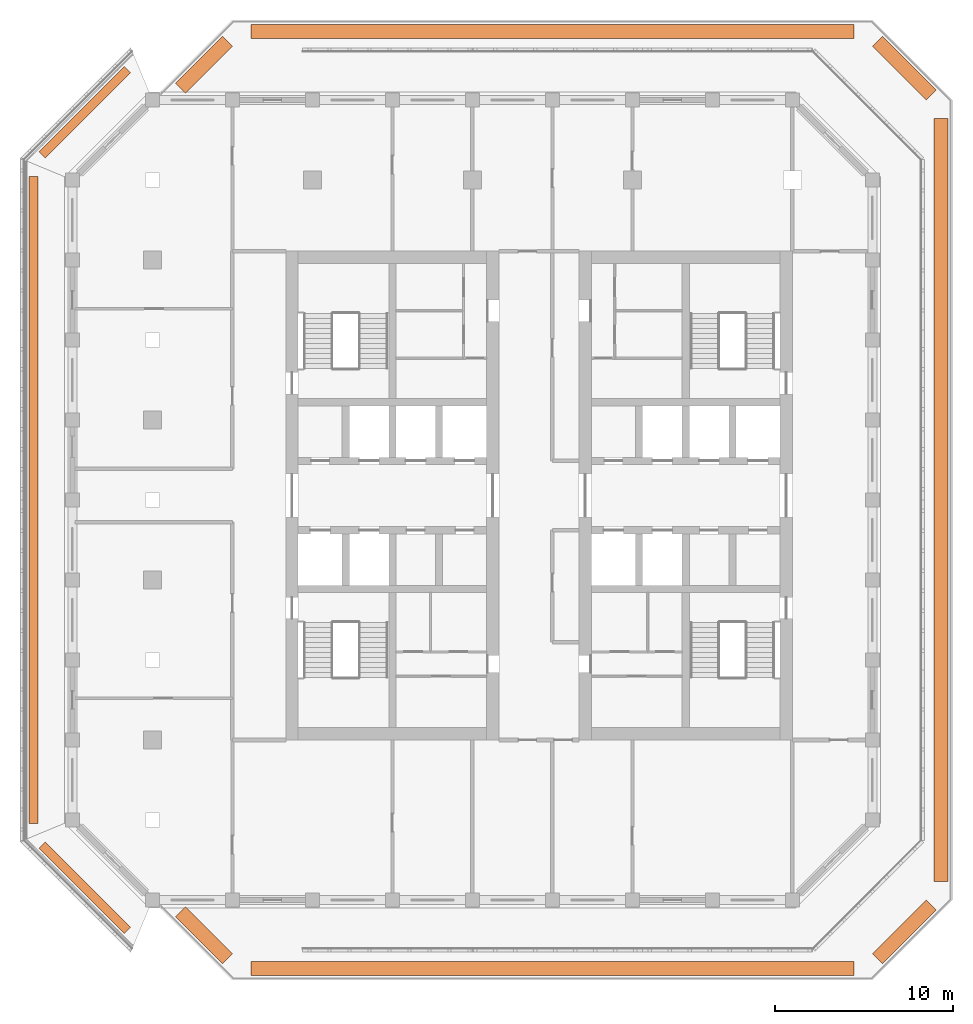
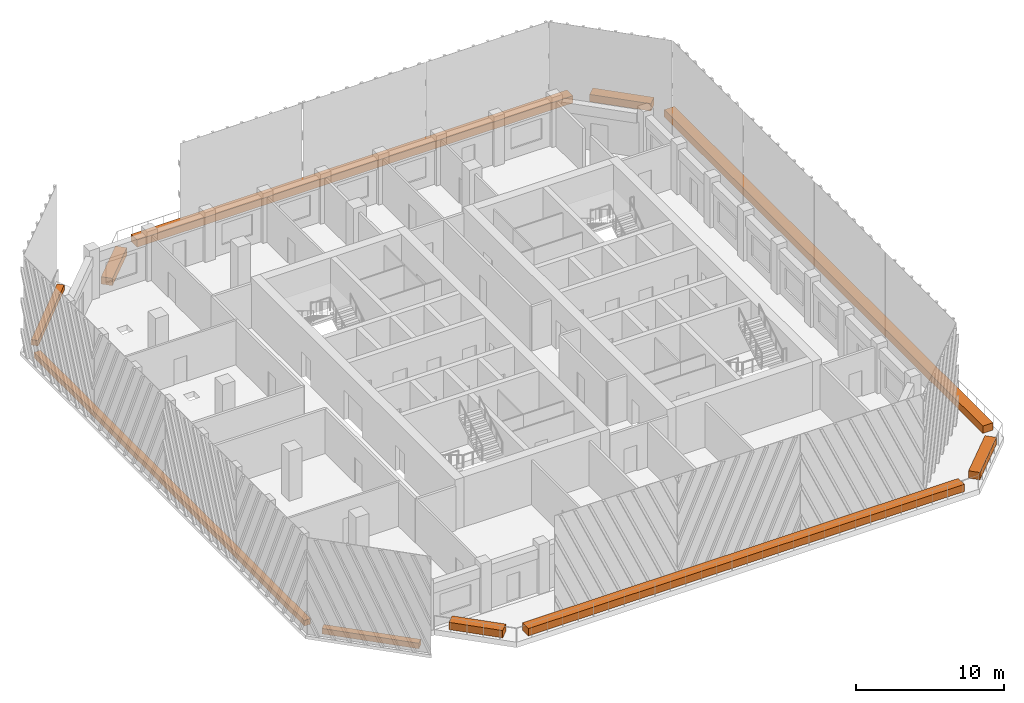
# One storey, part 14 of 14: 10 proxies.
"""IFC4 building model written with IfcOpenShell, lengths in metres."""

from ifc_helpers import new_model, si_unit, direction, frame, origin, origin_2d, place, context, subcontext, project, spatial, rectangle, extrude, material, type_object, element, save


model = new_model("IFC4")

# Units and contexts
model_context = context("Model", 3, precision=1e-05, world=origin(), true_north=direction((0.0, 1.0)))
body_context = subcontext(model_context, "Body", "Model", "MODEL_VIEW")
ifc_project = project(units=[si_unit("LENGTHUNIT", "METRE"), si_unit("AREAUNIT", "SQUARE_METRE"), si_unit("VOLUMEUNIT", "CUBIC_METRE"), si_unit("PLANEANGLEUNIT", "RADIAN"), si_unit("MASSUNIT", "GRAM", prefix="KILO")], contexts=[model_context])

# Site, building, storey
site_placement = place(None, origin())
site = spatial("IfcSite", under=ifc_project, at=site_placement, CompositionType="ELEMENT")
building_placement = place(site_placement, origin())
building = spatial("IfcBuilding", under=site, at=building_placement, Name="Corbel Stack Research Tower", CompositionType="ELEMENT")
storey_placement = place(building_placement, frame((0.0, 0.0, 266.300048828125)))
storey = spatial("IfcBuildingStorey", under=building, at=storey_placement, Name="L60", CompositionType="ELEMENT", Elevation=266.300048828125)

# Proxies
ifc_material_1 = material(Name="Concrete C45/55", Category="concrete")
building_element_proxy_type_1 = type_object("IfcBuildingElementProxyType", Name="Planter box", PredefinedType="USERDEFINED", material=ifc_material_1)
proxy_1_placement = place(storey_placement, frame((-21.8056640625, 26.3056640625, 0.0), z_axis=(0.0, 0.0, 1.0), x_axis=(-0.707106781187, -0.707106781187, 0.0)))
element("IfcBuildingElementProxy", 1, at=proxy_1_placement, inside=storey, type_object=building_element_proxy_type_1, Name="Planter L60 NW", ObjectType="PLANTER", PredefinedType="USERDEFINED", context=body_context, shape_type="SweptSolid", body=[
    extrude(rectangle(XDim=6.774658203125, YDim=0.5, at=origin_2d()), origin(), (0.0, 0.0, 1.0), 0.449951171875),
])
proxy_2_placement = place(storey_placement, frame((-24.699951171875, 4.5, 0.0), z_axis=(0.0, 0.0, 1.0), x_axis=(0.0, -1.0, 0.0)))
element("IfcBuildingElementProxy", 2, at=proxy_2_placement, inside=storey, type_object=building_element_proxy_type_1, Name="Planter L60 W", ObjectType="PLANTER", PredefinedType="USERDEFINED", context=body_context, shape_type="SweptSolid", body=[
    extrude(rectangle(XDim=36.41064453125, YDim=0.5, at=origin_2d()), origin(), (0.0, 0.0, 1.0), 0.449951171875),
])
proxy_3_placement = place(storey_placement, frame((-21.8056640625, -17.3056640625, 0.0), z_axis=(0.0, 0.0, 1.0), x_axis=(0.707106781187, -0.707106781187, 0.0)))
element("IfcBuildingElementProxy", 3, at=proxy_3_placement, inside=storey, type_object=building_element_proxy_type_1, Name="Planter L60 SW", ObjectType="PLANTER", PredefinedType="USERDEFINED", context=body_context, shape_type="SweptSolid", body=[
    extrude(rectangle(XDim=6.774658203125, YDim=0.5, at=origin_2d()), origin(), (0.0, 0.0, 1.0), 0.449951171875),
])
ifc_material_2 = material(Name="Concrete C45/55", Category="concrete")
building_element_proxy_type_2 = type_object("IfcBuildingElementProxyType", Name="Terrace planter bed", PredefinedType="USERDEFINED", material=ifc_material_2)
proxy_4_placement = place(storey_placement, frame((-15.10205078125, 28.978759765625, 0.0), z_axis=(0.0, 0.0, 1.0), x_axis=(0.707106781187, 0.707106781187, 0.0)))
element("IfcBuildingElementProxy", 4, at=proxy_4_placement, inside=storey, type_object=building_element_proxy_type_2, Name="Terrace planter bed L60", ObjectType="PLANTER", PredefinedType="USERDEFINED", context=body_context, shape_type="SweptSolid", body=[
    extrude(rectangle(XDim=3.748291015625, YDim=0.800048828125, at=origin_2d()), origin(), (0.0, 0.0, 1.0), 0.60009765625),
])
proxy_5_placement = place(storey_placement, frame((4.5, 30.85009765625, 0.0), z_axis=(0.0, 0.0, 1.0), x_axis=(1.0, 0.0, 0.0)))
element("IfcBuildingElementProxy", 5, at=proxy_5_placement, inside=storey, type_object=building_element_proxy_type_2, Name="Terrace planter bed L60", ObjectType="PLANTER", PredefinedType="USERDEFINED", context=body_context, shape_type="SweptSolid", body=[
    extrude(rectangle(XDim=33.917236328125, YDim=0.800048828125, at=origin_2d()), origin(), (0.0, 0.0, 1.0), 0.60009765625),
])
proxy_6_placement = place(storey_placement, frame((24.290283203125, 28.790283203125, 0.0), z_axis=(0.0, 0.0, 1.0), x_axis=(0.707106781187, -0.707106781187, 0.0)))
element("IfcBuildingElementProxy", 6, at=proxy_6_placement, inside=storey, type_object=building_element_proxy_type_2, Name="Terrace planter bed L60", ObjectType="PLANTER", PredefinedType="USERDEFINED", context=body_context, shape_type="SweptSolid", body=[
    extrude(rectangle(XDim=4.281005859375, YDim=0.800048828125, at=origin_2d()), origin(), (0.0, 0.0, 1.0), 0.60009765625),
])
proxy_7_placement = place(storey_placement, frame((26.35009765625, 4.5, 0.0), z_axis=(0.0, 0.0, 1.0), x_axis=(0.0, -1.0, 0.0)))
element("IfcBuildingElementProxy", 7, at=proxy_7_placement, inside=storey, type_object=building_element_proxy_type_2, Name="Terrace planter bed L60", ObjectType="PLANTER", PredefinedType="USERDEFINED", context=body_context, shape_type="SweptSolid", body=[
    extrude(rectangle(XDim=42.917236328125, YDim=0.800048828125, at=origin_2d()), origin(), (0.0, 0.0, 1.0), 0.60009765625),
])
proxy_8_placement = place(storey_placement, frame((24.290283203125, -19.790283203125, 0.0), z_axis=(0.0, 0.0, 1.0), x_axis=(-0.707106781187, -0.707106781187, 0.0)))
element("IfcBuildingElementProxy", 8, at=proxy_8_placement, inside=storey, type_object=building_element_proxy_type_2, Name="Terrace planter bed L60", ObjectType="PLANTER", PredefinedType="USERDEFINED", context=body_context, shape_type="SweptSolid", body=[
    extrude(rectangle(XDim=4.281005859375, YDim=0.800048828125, at=origin_2d()), origin(), (0.0, 0.0, 1.0), 0.60009765625),
])
proxy_9_placement = place(storey_placement, frame((4.5, -21.85009765625, 0.0), z_axis=(0.0, 0.0, 1.0), x_axis=(-1.0, 0.0, 0.0)))
element("IfcBuildingElementProxy", 9, at=proxy_9_placement, inside=storey, type_object=building_element_proxy_type_2, Name="Terrace planter bed L60", ObjectType="PLANTER", PredefinedType="USERDEFINED", context=body_context, shape_type="SweptSolid", body=[
    extrude(rectangle(XDim=33.917236328125, YDim=0.800048828125, at=origin_2d()), origin(), (0.0, 0.0, 1.0), 0.60009765625),
])
proxy_10_placement = place(storey_placement, frame((-15.10205078125, -19.978759765625, 0.0), z_axis=(0.0, 0.0, 1.0), x_axis=(-0.707106781187, 0.707106781187, 0.0)))
element("IfcBuildingElementProxy", 10, at=proxy_10_placement, inside=storey, type_object=building_element_proxy_type_2, Name="Terrace planter bed L60", ObjectType="PLANTER", PredefinedType="USERDEFINED", context=body_context, shape_type="SweptSolid", body=[
    extrude(rectangle(XDim=3.748291015625, YDim=0.800048828125, at=origin_2d()), origin(), (0.0, 0.0, 1.0), 0.60009765625),
])

save(model, "model.ifc")
